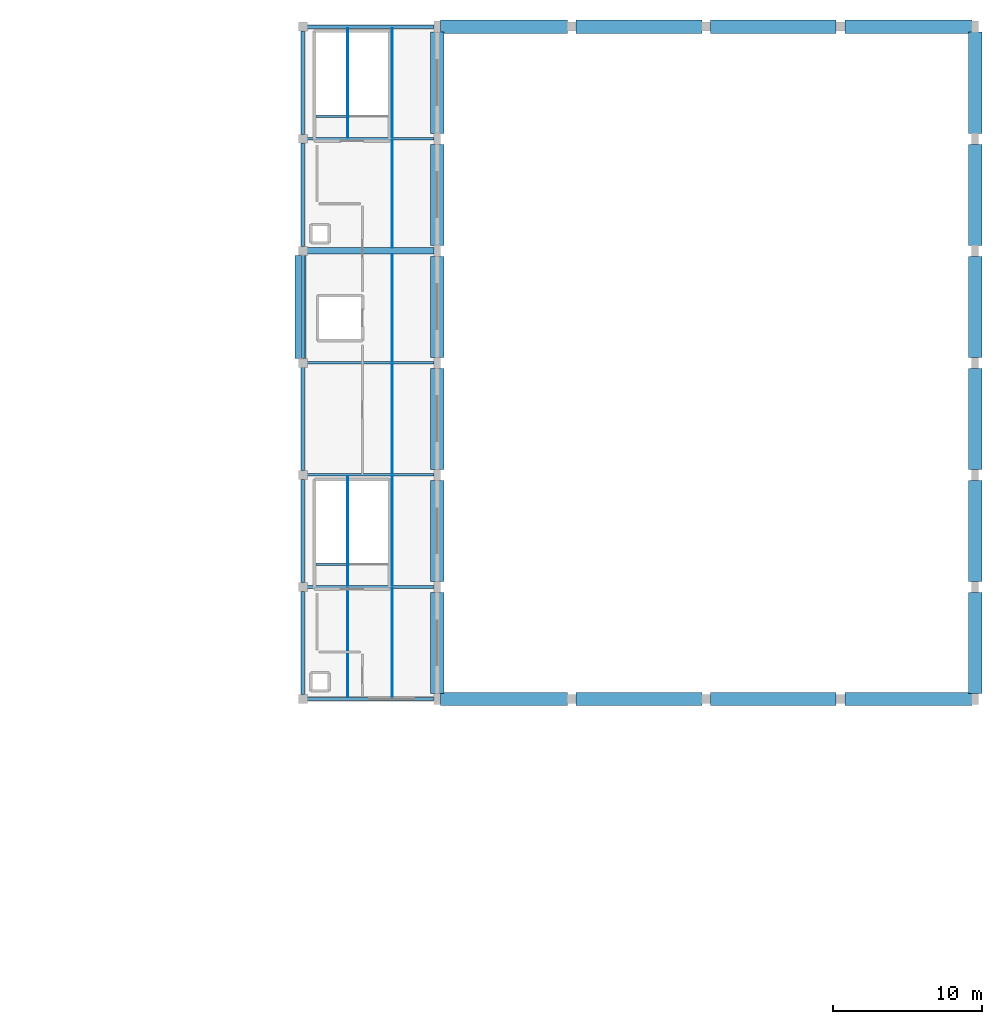
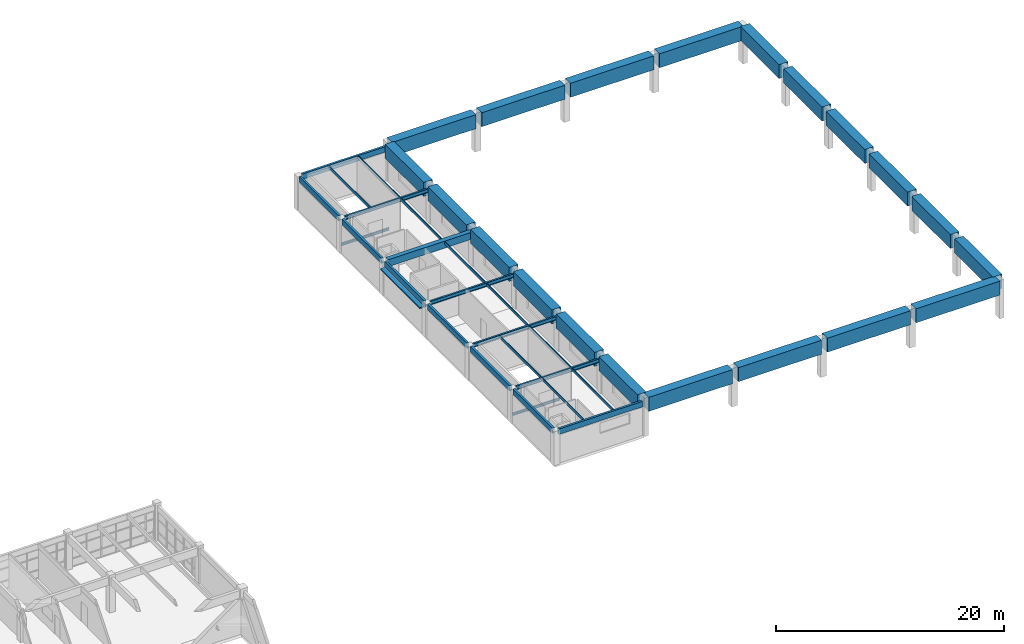
# One storey, part 39 of 76: 44 beams, 1 member.
"""IFC4 building model written with IfcOpenShell, lengths in metres."""

from ifc_helpers import new_model, si_unit, direction, frame, origin, origin_2d, place, context, subcontext, project, spatial, rectangle, i_section, extrude, material, material_profile, profile_set, type_object, element, save


model = new_model("IFC4")

# Units and contexts
model_context = context("Model", 3, precision=1e-05, world=origin(), true_north=direction((0.0, 1.0)))
body_context = subcontext(model_context, "Body", "Model", "MODEL_VIEW")
ifc_project = project(units=[si_unit("LENGTHUNIT", "METRE"), si_unit("AREAUNIT", "SQUARE_METRE"), si_unit("VOLUMEUNIT", "CUBIC_METRE"), si_unit("PLANEANGLEUNIT", "RADIAN"), si_unit("MASSUNIT", "GRAM", prefix="KILO")], contexts=[model_context])

# Site, building, storey
site_placement = place(None, origin())
site = spatial("IfcSite", under=ifc_project, at=site_placement, CompositionType="ELEMENT")
building_placement = place(site_placement, origin())
building = spatial("IfcBuilding", under=site, at=building_placement, Name="Marnridge Secondary College", CompositionType="ELEMENT")
storey_placement = place(building_placement, frame((0.0, 0.0, 4.5)))
storey = spatial("IfcBuildingStorey", under=building, at=storey_placement, Name="L01", CompositionType="ELEMENT", Elevation=4.5)

# Beams
ifc_material_1 = material(Name="Glulam timber GL18", Category="wood")
ifc_material_profile_1 = material_profile(ifc_material_1, rectangle(XDim=0.215087890625, YDim=0.5849609375, at=origin_2d()), Name="GL18 215x585")
ifc_profile_set_1 = profile_set([ifc_material_profile_1], Name="Glulam timber GL18")
beam_type_1 = type_object("IfcBeamType", Name="BM-GL585-EXT", PredefinedType="SPANDREL", material=ifc_profile_set_1)
beam_1_placement = place(storey_placement, frame((126.2939453125, 75.0, 3.327392578125), z_axis=(1.0, 0.0, 0.0), x_axis=(0.0, 1.0, 0.0)))
element("IfcBeam", 1, at=beam_1_placement, inside=storey, type_object=beam_type_1, Name="Beam BRF-L01-1240", PredefinedType="SPANDREL", context=body_context, shape_type="SweptSolid", body=[
    extrude(rectangle(XDim=0.215087890625, YDim=0.5849609375, at=origin_2d()), origin(), (0.0, 0.0, 1.0), 8.487060546875),
])
for number, where, z_axis, x_axis, name in (
    (2, (126.0, 75.2939453125, 3.327392578125), (0.0, 1.0, 0.0), (-1.0, 0.0, 0.0), "Beam BRF-L01-1242"),
    (3, (126.0, 82.7939453125, 3.327392578125), (0.0, 1.0, 0.0), (-1.0, 0.0, 0.0), "Beam BRF-L01-1244"),
    (4, (126.0, 90.2939453125, 3.327392578125), (0.0, 1.0, 0.0), (-1.0, 0.0, 0.0), "Beam BRF-L01-1246"),
    (5, (126.0, 97.7939453125, 3.327392578125), (0.0, 1.0, 0.0), (-1.0, 0.0, 0.0), "Beam BRF-L01-1248"),
    (6, (126.0, 105.2939453125, 3.327392578125), (0.0, 1.0, 0.0), (-1.0, 0.0, 0.0), "Beam BRF-L01-1250"),
):
    element("IfcBeam", number, at=place(storey_placement, frame(where, z_axis=z_axis, x_axis=x_axis)), inside=storey, type_object=beam_type_1, Name=name, PredefinedType="SPANDREL", context=body_context, shape_type="SweptSolid", body=[
        extrude(rectangle(XDim=0.215087890625, YDim=0.5849609375, at=origin_2d()), origin(), (0.0, 0.0, 1.0), 6.912109375),
    ])
beam_2_placement = place(storey_placement, frame((126.2939453125, 120.0, 3.327392578125), z_axis=(1.0, 0.0, 0.0), x_axis=(0.0, 1.0, 0.0)))
element("IfcBeam", 7, at=beam_2_placement, inside=storey, type_object=beam_type_1, Name="Beam BRF-L01-1251", PredefinedType="SPANDREL", context=body_context, shape_type="SweptSolid", body=[
    extrude(rectangle(XDim=0.215087890625, YDim=0.5849609375, at=origin_2d()), origin(), (0.0, 0.0, 1.0), 8.487060546875),
])
beam_3_placement = place(storey_placement, frame((126.0, 112.7939453125, 3.327392578125), z_axis=(0.0, 1.0, 0.0), x_axis=(-1.0, 0.0, 0.0)))
element("IfcBeam", 8, at=beam_3_placement, inside=storey, type_object=beam_type_1, Name="Beam BRF-L01-1252", PredefinedType="SPANDREL", context=body_context, shape_type="SweptSolid", body=[
    extrude(rectangle(XDim=0.215087890625, YDim=0.5849609375, at=origin_2d()), origin(), (0.0, 0.0, 1.0), 6.912109375),
])
ifc_material_2 = material(Name="Engineered timber LVL E13.2", Category="wood")
ifc_material_profile_2 = material_profile(ifc_material_2, rectangle(XDim=0.06298828125, YDim=0.300048828125, at=origin_2d()), Name="LVL 63x300")
ifc_profile_set_2 = profile_set([ifc_material_profile_2], Name="Engineered timber LVL E13.2")
beam_type_2 = type_object("IfcBeamType", Name="BM-LVL300-INT", PredefinedType="JOIST", material=ifc_profile_set_2)
for number, where, z_axis, x_axis, name in (
    (9, (129.0, 75.1015625, 3.469970703125), (0.0, 1.0, 0.0), (-1.0, 0.0, 0.0), "Beam BJ-L01-1253"),
    (10, (132.0, 75.1015625, 3.469970703125), (0.0, 1.0, 0.0), (-1.0, 0.0, 0.0), "Beam BJ-L01-1254"),
):
    element("IfcBeam", number, at=place(storey_placement, frame(where, z_axis=z_axis, x_axis=x_axis)), inside=storey, type_object=beam_type_2, Name=name, PredefinedType="JOIST", context=body_context, shape_type="SweptSolid", body=[
        extrude(rectangle(XDim=0.06298828125, YDim=0.300048828125, at=origin_2d()), origin(), (0.0, 0.0, 1.0), 7.315673828125),
    ])
for number, where, z_axis, x_axis, name in (
    (11, (129.0, 82.582763671875, 3.469970703125), (0.0, 1.0, 0.0), (-1.0, 0.0, 0.0), "Beam BJ-L01-1255"),
    (12, (132.0, 82.582763671875, 3.469970703125), (0.0, 1.0, 0.0), (-1.0, 0.0, 0.0), "Beam BJ-L01-1256"),
    (13, (132.0, 90.082763671875, 3.469970703125), (0.0, 1.0, 0.0), (-1.0, 0.0, 0.0), "Beam BJ-L01-1257"),
):
    element("IfcBeam", number, at=place(storey_placement, frame(where, z_axis=z_axis, x_axis=x_axis)), inside=storey, type_object=beam_type_2, Name=name, PredefinedType="JOIST", context=body_context, shape_type="SweptSolid", body=[
        extrude(rectangle(XDim=0.06298828125, YDim=0.300048828125, at=origin_2d()), origin(), (0.0, 0.0, 1.0), 7.33447265625),
    ])
for number, where, z_axis, x_axis, name in (
    (14, (132.0, 97.582763671875, 3.469970703125), (0.0, 1.0, 0.0), (-1.0, 0.0, 0.0), "Beam BJ-L01-1258"),
    (15, (132.0, 105.218994140625, 3.469970703125), (0.0, 1.0, 0.0), (-1.0, 0.0, 0.0), "Beam BJ-L01-1259"),
):
    element("IfcBeam", number, at=place(storey_placement, frame(where, z_axis=z_axis, x_axis=x_axis)), inside=storey, type_object=beam_type_2, Name=name, PredefinedType="JOIST", context=body_context, shape_type="SweptSolid", body=[
        extrude(rectangle(XDim=0.06298828125, YDim=0.300048828125, at=origin_2d()), origin(), (0.0, 0.0, 1.0), 7.1982421875),
    ])
for number, where, z_axis, x_axis, name in (
    (16, (129.0, 112.582763671875, 3.469970703125), (0.0, 1.0, 0.0), (-1.0, 0.0, 0.0), "Beam BJ-L01-1260"),
    (17, (132.0, 112.582763671875, 3.469970703125), (0.0, 1.0, 0.0), (-1.0, 0.0, 0.0), "Beam BJ-L01-1261"),
):
    element("IfcBeam", number, at=place(storey_placement, frame(where, z_axis=z_axis, x_axis=x_axis)), inside=storey, type_object=beam_type_2, Name=name, PredefinedType="JOIST", context=body_context, shape_type="SweptSolid", body=[
        extrude(rectangle(XDim=0.06298828125, YDim=0.300048828125, at=origin_2d()), origin(), (0.0, 0.0, 1.0), 7.315673828125),
    ])
ifc_material_3 = material(Name="Concrete C40/50 (AS 3600 N40, 40 MPa)", Category="concrete")
ifc_material_profile_3 = material_profile(ifc_material_3, rectangle(XDim=0.449951171875, YDim=0.75, at=origin_2d()), Name="RC 450x750")
ifc_profile_set_3 = profile_set([ifc_material_profile_3], Name="Concrete C40/50 (AS 3600 N40, 40 MPa)")
beam_type_3 = type_object("IfcBeamType", Name="BM-RC4575-INT", PredefinedType="BEAM", material=ifc_profile_set_3)
beam_4_placement = place(storey_placement, frame((126.2939453125, 105.0, 3.2451171875), z_axis=(1.0, 0.0, 0.0), x_axis=(0.0, 1.0, 0.0)))
element("IfcBeam", 18, at=beam_4_placement, inside=storey, type_object=beam_type_3, Name="Beam BRF-L01-1247", PredefinedType="BEAM", context=body_context, shape_type="SweptSolid", body=[
    extrude(rectangle(XDim=0.449951171875, YDim=0.75, at=origin_2d()), origin(), (0.0, 0.0, 1.0), 8.487060546875),
])
ifc_material_4 = material(Name="Concrete C50/60 (AS 3600 N50, 50 MPa)", Category="concrete")
ifc_material_profile_4 = material_profile(ifc_material_4, rectangle(XDim=0.89990234375, YDim=1.5, at=origin_2d()), Name="RC 900x1500")
ifc_profile_set_4 = profile_set([ifc_material_profile_4], Name="Concrete C50/60 (AS 3600 N50, 50 MPa)")
beam_type_4 = type_object("IfcBeamType", Name="BM-RING-9015", PredefinedType="USERDEFINED", material=ifc_profile_set_4)
for number, where, z_axis, x_axis, name in (
    (19, (135.218994140625, 75.0, 3.35009765625), (1.0, 0.0, 0.0), (0.0, 1.0, 0.0), "Beam BRG-L01-0001"),
    (20, (135.218994140625, 120.0, 3.35009765625), (1.0, 0.0, 0.0), (0.0, 1.0, 0.0), "Beam BRG-L01-0002"),
):
    element("IfcBeam", number, at=place(storey_placement, frame(where, z_axis=z_axis, x_axis=x_axis)), inside=storey, type_object=beam_type_4, Name=name, ObjectType="RING BEAM", PredefinedType="USERDEFINED", context=body_context, shape_type="SweptSolid", body=[
        extrude(rectangle(XDim=0.89990234375, YDim=1.5, at=origin_2d()), origin(), (0.0, 0.0, 1.0), 8.487060546875),
    ])
for number, where, z_axis, x_axis, name in (
    (21, (144.2939453125, 75.0, 3.35009765625), (1.0, 0.0, 0.0), (0.0, 1.0, 0.0), "Beam BRG-L01-0003"),
    (22, (144.2939453125, 120.0, 3.35009765625), (1.0, 0.0, 0.0), (0.0, 1.0, 0.0), "Beam BRG-L01-0004"),
    (23, (153.2939453125, 75.0, 3.35009765625), (1.0, 0.0, 0.0), (0.0, 1.0, 0.0), "Beam BRG-L01-0005"),
    (24, (153.2939453125, 120.0, 3.35009765625), (1.0, 0.0, 0.0), (0.0, 1.0, 0.0), "Beam BRG-L01-0006"),
):
    element("IfcBeam", number, at=place(storey_placement, frame(where, z_axis=z_axis, x_axis=x_axis)), inside=storey, type_object=beam_type_4, Name=name, ObjectType="RING BEAM", PredefinedType="USERDEFINED", context=body_context, shape_type="SweptSolid", body=[
        extrude(rectangle(XDim=0.89990234375, YDim=1.5, at=origin_2d()), origin(), (0.0, 0.0, 1.0), 8.412109375),
    ])
for number, where, z_axis, x_axis, name in (
    (25, (162.2939453125, 75.0, 3.35009765625), (1.0, 0.0, 0.0), (0.0, 1.0, 0.0), "Beam BRG-L01-0007"),
    (26, (162.2939453125, 120.0, 3.35009765625), (1.0, 0.0, 0.0), (0.0, 1.0, 0.0), "Beam BRG-L01-0008"),
):
    element("IfcBeam", number, at=place(storey_placement, frame(where, z_axis=z_axis, x_axis=x_axis)), inside=storey, type_object=beam_type_4, Name=name, ObjectType="RING BEAM", PredefinedType="USERDEFINED", context=body_context, shape_type="SweptSolid", body=[
        extrude(rectangle(XDim=0.89990234375, YDim=1.5, at=origin_2d()), origin(), (0.0, 0.0, 1.0), 8.487060546875),
    ])
for number, where, z_axis, x_axis, name in (
    (27, (135.0, 75.368896484375, 3.35009765625), (0.0, 1.0, 0.0), (-1.0, 0.0, 0.0), "Beam BRG-L01-0009"),
    (28, (171.0, 75.368896484375, 3.35009765625), (0.0, 1.0, 0.0), (-1.0, 0.0, 0.0), "Beam BRG-L01-0010"),
    (29, (135.0, 82.868896484375, 3.35009765625), (0.0, 1.0, 0.0), (-1.0, 0.0, 0.0), "Beam BRG-L01-0011"),
    (30, (171.0, 82.868896484375, 3.35009765625), (0.0, 1.0, 0.0), (-1.0, 0.0, 0.0), "Beam BRG-L01-0012"),
    (31, (135.0, 90.368896484375, 3.35009765625), (0.0, 1.0, 0.0), (-1.0, 0.0, 0.0), "Beam BRG-L01-0013"),
    (32, (171.0, 90.368896484375, 3.35009765625), (0.0, 1.0, 0.0), (-1.0, 0.0, 0.0), "Beam BRG-L01-0014"),
    (33, (135.0, 97.868896484375, 3.35009765625), (0.0, 1.0, 0.0), (-1.0, 0.0, 0.0), "Beam BRG-L01-0015"),
    (34, (171.0, 97.868896484375, 3.35009765625), (0.0, 1.0, 0.0), (-1.0, 0.0, 0.0), "Beam BRG-L01-0016"),
    (35, (135.0, 105.368896484375, 3.35009765625), (0.0, 1.0, 0.0), (-1.0, 0.0, 0.0), "Beam BRG-L01-0017"),
    (36, (171.0, 105.368896484375, 3.35009765625), (0.0, 1.0, 0.0), (-1.0, 0.0, 0.0), "Beam BRG-L01-0018"),
    (37, (135.0, 112.868896484375, 3.35009765625), (0.0, 1.0, 0.0), (-1.0, 0.0, 0.0), "Beam BRG-L01-0019"),
    (38, (171.0, 112.868896484375, 3.35009765625), (0.0, 1.0, 0.0), (-1.0, 0.0, 0.0), "Beam BRG-L01-0020"),
):
    element("IfcBeam", number, at=place(storey_placement, frame(where, z_axis=z_axis, x_axis=x_axis)), inside=storey, type_object=beam_type_4, Name=name, ObjectType="RING BEAM", PredefinedType="USERDEFINED", context=body_context, shape_type="SweptSolid", body=[
        extrude(rectangle(XDim=0.89990234375, YDim=1.5, at=origin_2d()), origin(), (0.0, 0.0, 1.0), 6.76220703125),
    ])
ifc_material_5 = material(Name="Structural steel Grade 350 (AS/NZS 3679.1/.2, fy = 340-360 MPa)", Category="steel")
ifc_material_profile_5 = material_profile(ifc_material_5, i_section(OverallWidth=0.146240234375, OverallDepth=0.256103515625, WebThickness=0.00634765625, FlangeThickness=0.010986328125, FilletRadius=0.0087890625, at=origin_2d()), Name="250UB37.3")
ifc_profile_set_5 = profile_set([ifc_material_profile_5], Name="Structural steel Grade 350 (AS/NZS 3679.1/.2, fy = 340-360 MPa)")
beam_type_5 = type_object("IfcBeamType", Name="BM-UB250-EXT", PredefinedType="LINTEL", material=ifc_profile_set_5)
for number, where, z_axis, x_axis, name in (
    (39, (126.89208984375, 84.0, -0.528076171875), (1.0, 0.0, 0.0), (0.0, 1.0, 0.0), "Stair landing trimmer beam BT-L01-058"),
    (40, (126.89208984375, 114.0, -0.528076171875), (1.0, 0.0, 0.0), (0.0, 1.0, 0.0), "Stair landing trimmer beam BT-L01-060"),
):
    element("IfcBeam", number, at=place(storey_placement, frame(where, z_axis=z_axis, x_axis=x_axis)), inside=storey, type_object=beam_type_5, Name=name, PredefinedType="LINTEL", context=body_context, shape_type="SweptSolid", body=[
        extrude(i_section(OverallWidth=0.146240234375, OverallDepth=0.256103515625, WebThickness=0.00634765625, FlangeThickness=0.010986328125, FilletRadius=0.0087890625, at=origin_2d()), origin(), (0.0, 0.0, 1.0), 4.802978515625),
    ])
ifc_material_6 = material(Name="Structural steel Grade 350 (AS/NZS 3679.1/.2, fy = 340-360 MPa)", Category="steel")
ifc_material_profile_6 = material_profile(ifc_material_6, i_section(OverallWidth=0.177734375, OverallDepth=0.402587890625, WebThickness=0.007568359375, FlangeThickness=0.010986328125, FilletRadius=0.011474609375, at=origin_2d()), Name="410UB53.7")
ifc_profile_set_6 = profile_set([ifc_material_profile_6], Name="Structural steel Grade 350 (AS/NZS 3679.1/.2, fy = 340-360 MPa)")
beam_type_6 = type_object("IfcBeamType", Name="BM-UB410-INT", PredefinedType="BEAM", material=ifc_profile_set_6)
for number, where, z_axis, x_axis, name in (
    (41, (126.2939453125, 82.5, 3.418701171875), (1.0, 0.0, 0.0), (0.0, 1.0, 0.0), "Beam BRF-L01-1241"),
    (42, (126.2939453125, 90.0, 3.418701171875), (1.0, 0.0, 0.0), (0.0, 1.0, 0.0), "Beam BRF-L01-1243"),
    (43, (126.2939453125, 97.5, 3.418701171875), (1.0, 0.0, 0.0), (0.0, 1.0, 0.0), "Beam BRF-L01-1245"),
    (44, (126.2939453125, 112.5, 3.418701171875), (1.0, 0.0, 0.0), (0.0, 1.0, 0.0), "Beam BRF-L01-1249"),
):
    element("IfcBeam", number, at=place(storey_placement, frame(where, z_axis=z_axis, x_axis=x_axis)), inside=storey, type_object=beam_type_6, Name=name, PredefinedType="BEAM", context=body_context, shape_type="SweptSolid", body=[
        extrude(i_section(OverallWidth=0.177734375, OverallDepth=0.402587890625, WebThickness=0.007568359375, FlangeThickness=0.010986328125, FilletRadius=0.011474609375, at=origin_2d()), origin(), (0.0, 0.0, 1.0), 8.487060546875),
    ])

# Member
ifc_material_7 = material(Name="Precast concrete C40/50 (AS 3600 N40, 40 MPa)", Category="concrete")
ifc_material_profile_7 = material_profile(ifc_material_7, rectangle(XDim=0.139892578125, YDim=0.75, at=origin_2d()), Name="FIN PC 140x750")
ifc_profile_set_7 = profile_set([ifc_material_profile_7], Name="Precast concrete C40/50 (AS 3600 N40, 40 MPa)")
member_type = type_object("IfcMemberType", Name="MB-FIN-PC750", PredefinedType="USERDEFINED", material=ifc_profile_set_7)
member_placement = place(storey_placement, frame((125.840087890625, 97.800048828125, 2.947021484375), z_axis=(0.0, 1.0, 0.0), x_axis=(0.0, 0.0, 1.0)))
element("IfcMember", 45, at=member_placement, inside=storey, type_object=member_type, Name="Solar shading fin SFN-0024", ObjectType="SOLAR FIN", PredefinedType="USERDEFINED", context=body_context, shape_type="SweptSolid", body=[
    extrude(rectangle(XDim=0.139892578125, YDim=0.75, at=origin_2d()), origin(), (0.0, 0.0, 1.0), 6.89990234375),
])

save(model, "model.ifc")
